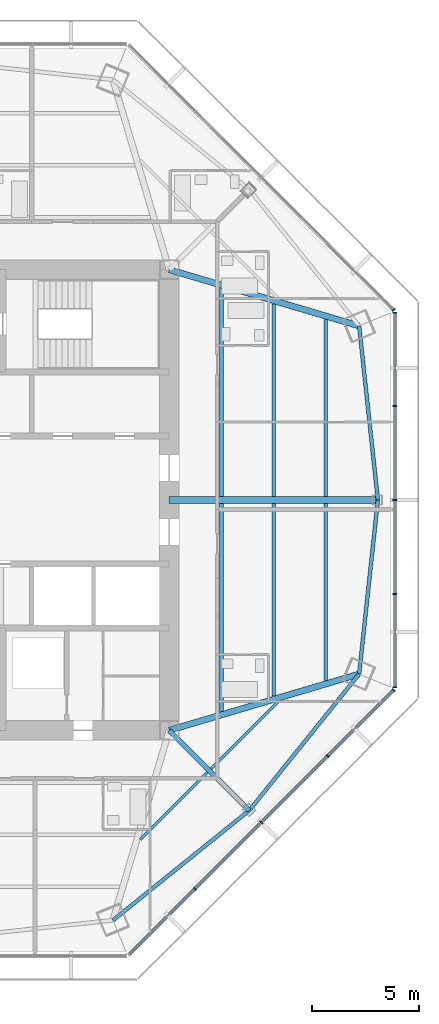
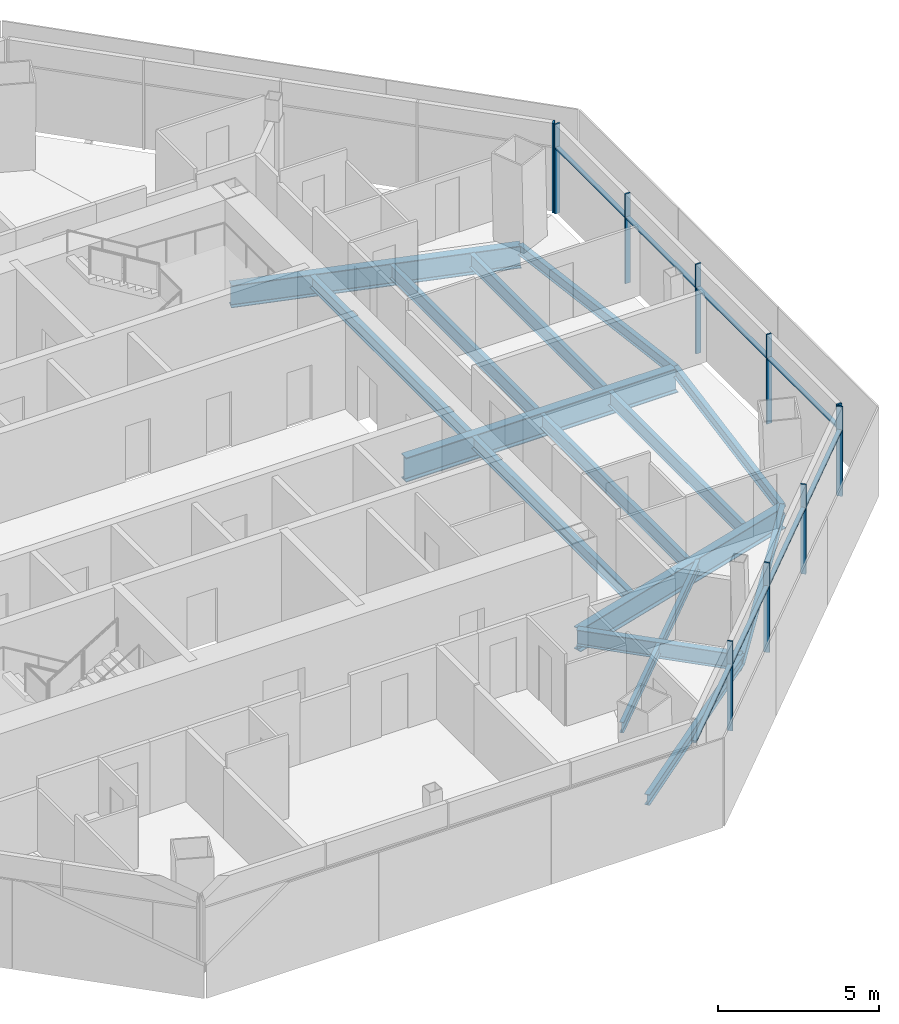
# One storey, part 5 of 15: 18 members, 16 beams, 3 elements without a shape of their own.
"""IFC4 building model written with IfcOpenShell, lengths in metres."""

from ifc_helpers import new_model, si_unit, direction, frame, origin, origin_2d, place, context, subcontext, project, spatial, rectangle, i_section, extrude, source, transform, mapped, material, material_profile, profile_set, type_object, type_shapes, element, aggregate, save


model = new_model("IFC4")

# Units and contexts
model_context = context("Model", 3, precision=1e-05, world=origin(), true_north=direction((0.0, 1.0)))
body_context = subcontext(model_context, "Body", "Model", "MODEL_VIEW")
ifc_project = project(units=[si_unit("LENGTHUNIT", "METRE"), si_unit("AREAUNIT", "SQUARE_METRE"), si_unit("VOLUMEUNIT", "CUBIC_METRE"), si_unit("PLANEANGLEUNIT", "RADIAN"), si_unit("MASSUNIT", "GRAM", prefix="KILO")], contexts=[model_context])

# Site, building, storey
site_placement = place(None, origin())
site = spatial("IfcSite", under=ifc_project, at=site_placement, CompositionType="ELEMENT")
building_placement = place(site_placement, origin())
building = spatial("IfcBuilding", under=site, at=building_placement, Name="Mashrafa Tower", CompositionType="ELEMENT")
storey_placement = place(building_placement, frame((0.0, 0.0, 234.60009765625)))
storey = spatial("IfcBuildingStorey", under=building, at=storey_placement, Name="L55", CompositionType="ELEMENT", Elevation=234.60009765625)

# Beams
ifc_material_1 = material(Name="Steel ASTM A992", Category="steel")
ifc_material_profile_1 = material_profile(ifc_material_1, i_section(OverallWidth=0.140380859375, OverallDepth=0.40380859375, WebThickness=0.007080078125, FlangeThickness=0.01123046875, FilletRadius=0.01025390625, at=origin_2d()), Name="W16X31")
ifc_profile_set_1 = profile_set([ifc_material_profile_1], Name="Steel ASTM A992")
beam_type_1 = type_object("IfcBeamType", Name="Beam W16X31", PredefinedType="BEAM", material=ifc_profile_set_1)
for number, where, z_axis, x_axis, name in (
    (1, (12.5966796875, -12.75830078125, -0.402099609375), (-0.707106781187, -0.707106781187, 0.0), (0.707106781187, -0.707106781187, 0.0), "Floor beam L55 024"),
    (2, (15.918701171875, -9.436279296875, -0.402099609375), (-0.707106781187, -0.707106781187, 0.0), (0.707106781187, -0.707106781187, 0.0), "Floor beam L55 030"),
):
    element("IfcBeam", number, at=place(storey_placement, frame(where, z_axis=z_axis, x_axis=x_axis)), inside=storey, type_object=beam_type_1, Name=name, PredefinedType="BEAM", context=body_context, shape_type="SweptSolid", body=[
        extrude(i_section(OverallWidth=0.140380859375, OverallDepth=0.40380859375, WebThickness=0.007080078125, FlangeThickness=0.01123046875, FilletRadius=0.01025390625, at=origin_2d()), origin(), (0.0, 0.0, 1.0), 4.469482421875),
    ])
ifc_material_2 = material(Name="Steel ASTM A992", Category="steel")
ifc_material_profile_2 = material_profile(ifc_material_2, i_section(OverallWidth=0.177734375, OverallDepth=0.406494140625, WebThickness=0.0078125, FlangeThickness=0.012939453125, FilletRadius=0.01025390625, at=origin_2d()), Name="W16X40")
ifc_profile_set_2 = profile_set([ifc_material_profile_2], Name="Steel ASTM A992")
beam_type_2 = type_object("IfcBeamType", Name="Beam W16X40", PredefinedType="BEAM", material=ifc_profile_set_2)
for number, where, z_axis, x_axis, name in (
    (3, (8.162353515625, -19.705810546875, -0.4033203125), (0.778676418482, 0.627425720942, 0.0), (-0.627425720942, 0.778676418482, 0.0), "Spandrel beam L55 058"),
    (4, (14.554931640625, -14.554931640625, -0.4033203125), (0.627425720942, 0.778676418482, 0.0), (-0.778676418482, 0.627425720942, 0.0), "Spandrel beam L55 060"),
    (5, (19.705810546875, -8.162353515625, -0.4033203125), (0.106970984578, 0.994262142726, 0.0), (-0.994262142726, 0.106970984578, 0.0), "Spandrel beam L55 062"),
    (6, (20.583984375, 0.0, -0.4033203125), (-0.106970984578, 0.994262142726, 0.0), (-0.994262142726, -0.106970984578, 0.0), "Spandrel beam L55 064"),
):
    element("IfcBeam", number, at=place(storey_placement, frame(where, z_axis=z_axis, x_axis=x_axis)), inside=storey, type_object=beam_type_2, Name=name, PredefinedType="BEAM", context=body_context, shape_type="SweptSolid", body=[
        extrude(i_section(OverallWidth=0.177734375, OverallDepth=0.406494140625, WebThickness=0.0078125, FlangeThickness=0.012939453125, FilletRadius=0.01025390625, at=origin_2d()), origin(), (0.0, 0.0, 1.0), 8.20947265625),
    ])
ifc_material_3 = material(Name="Steel ASTM A992", Category="steel")
ifc_material_profile_3 = material_profile(ifc_material_3, i_section(OverallWidth=0.191162109375, OverallDepth=0.459716796875, WebThickness=0.010009765625, FlangeThickness=0.01611328125, FilletRadius=0.01025390625, at=origin_2d()), Name="W18X55")
ifc_profile_set_3 = profile_set([ifc_material_profile_3], Name="Steel ASTM A992")
beam_type_3 = type_object("IfcBeamType", Name="Beam W18X55", PredefinedType="BEAM", material=ifc_profile_set_3)
for number, where, z_axis, x_axis, name in (
    (7, (13.24609375, -0.15380859375, -0.429931640625), (0.0, -1.0, 0.0), (1.0, 0.0, 0.0), "Floor beam L55 026"),
    (8, (13.24609375, 9.92333984375, -0.429931640625), (0.0, -1.0, 0.0), (1.0, 0.0, 0.0), "Floor beam L55 027"),
):
    element("IfcBeam", number, at=place(storey_placement, frame(where, z_axis=z_axis, x_axis=x_axis)), inside=storey, type_object=beam_type_3, Name=name, PredefinedType="BEAM", context=body_context, shape_type="SweptSolid", body=[
        extrude(i_section(OverallWidth=0.191162109375, OverallDepth=0.459716796875, WebThickness=0.010009765625, FlangeThickness=0.01611328125, FilletRadius=0.01025390625, at=origin_2d()), origin(), (0.0, 0.0, 1.0), 9.76953125),
    ])
ifc_material_4 = material(Name="Steel ASTM A992", Category="steel")
ifc_material_profile_4 = material_profile(ifc_material_4, i_section(OverallWidth=0.1650390625, OverallDepth=0.52587890625, WebThickness=0.0087890625, FlangeThickness=0.011474609375, FilletRadius=0.0126953125, at=origin_2d()), Name="W21X44")
ifc_profile_set_4 = profile_set([ifc_material_profile_4], Name="Steel ASTM A992")
beam_type_4 = type_object("IfcBeamType", Name="Beam W21X44", PredefinedType="BEAM", material=ifc_profile_set_4)
for number, where, z_axis, x_axis, name in (
    (9, (15.69189453125, -0.15380859375, -0.462890625), (0.0, -1.0, 0.0), (1.0, 0.0, 0.0), "Floor beam L55 028"),
    (10, (15.69189453125, 9.198974609375, -0.462890625), (0.0, -1.0, 0.0), (1.0, 0.0, 0.0), "Floor beam L55 029"),
):
    element("IfcBeam", number, at=place(storey_placement, frame(where, z_axis=z_axis, x_axis=x_axis)), inside=storey, type_object=beam_type_4, Name=name, PredefinedType="BEAM", context=body_context, shape_type="SweptSolid", body=[
        extrude(i_section(OverallWidth=0.1650390625, OverallDepth=0.52587890625, WebThickness=0.0087890625, FlangeThickness=0.011474609375, FilletRadius=0.0126953125, at=origin_2d()), origin(), (0.0, 0.0, 1.0), 9.045166015625),
    ])
ifc_material_5 = material(Name="Steel ASTM A992", Category="steel")
ifc_material_profile_5 = material_profile(ifc_material_5, i_section(OverallWidth=0.165771484375, OverallDepth=0.5283203125, WebThickness=0.009765625, FlangeThickness=0.013671875, FilletRadius=0.012939453125, at=origin_2d()), Name="W21X50")
ifc_profile_set_5 = profile_set([ifc_material_profile_5], Name="Steel ASTM A992")
beam_type_5 = type_object("IfcBeamType", Name="Beam W21X50", PredefinedType="BEAM", material=ifc_profile_set_5)
for number, where, z_axis, x_axis, name in (
    (11, (18.137939453125, -0.15380859375, -0.46435546875), (0.0, -1.0, 0.0), (1.0, 0.0, 0.0), "Floor beam L55 031"),
    (12, (18.137939453125, 8.474365234375, -0.46435546875), (0.0, -1.0, 0.0), (1.0, 0.0, 0.0), "Floor beam L55 032"),
):
    element("IfcBeam", number, at=place(storey_placement, frame(where, z_axis=z_axis, x_axis=x_axis)), inside=storey, type_object=beam_type_5, Name=name, PredefinedType="BEAM", context=body_context, shape_type="SweptSolid", body=[
        extrude(i_section(OverallWidth=0.165771484375, OverallDepth=0.5283203125, WebThickness=0.009765625, FlangeThickness=0.013671875, FilletRadius=0.012939453125, at=origin_2d()), origin(), (0.0, 0.0, 1.0), 8.320556640625),
    ])
ifc_material_6 = material(Name="Steel ASTM A992", Category="steel")
ifc_material_profile_6 = material_profile(ifc_material_6, i_section(OverallWidth=0.228271484375, OverallDepth=0.607177734375, WebThickness=0.01123046875, FlangeThickness=0.017333984375, FilletRadius=0.0126953125, at=origin_2d()), Name="W24X76")
ifc_profile_set_6 = profile_set([ifc_material_profile_6], Name="Steel ASTM A992")
beam_type_6 = type_object("IfcBeamType", Name="Beam W24X76", PredefinedType="BEAM", material=ifc_profile_set_6)
beam_1_placement = place(storey_placement, frame((10.800048828125, -10.800048828125, -0.503662109375), z_axis=(0.707106781187, -0.707106781187, 0.0), x_axis=(0.707106781187, 0.707106781187, 0.0)))
element("IfcBeam", 13, at=beam_1_placement, inside=storey, type_object=beam_type_6, Name="Radial girder L55 043", PredefinedType="BEAM", context=body_context, shape_type="SweptSolid", body=[
    extrude(i_section(OverallWidth=0.228271484375, OverallDepth=0.607177734375, WebThickness=0.01123046875, FlangeThickness=0.017333984375, FilletRadius=0.0126953125, at=origin_2d()), origin(), (0.0, 0.0, 1.0), 5.310302734375),
])
ifc_material_7 = material(Name="Steel ASTM A992", Category="steel")
ifc_material_profile_7 = material_profile(ifc_material_7, i_section(OverallWidth=0.2919921875, OverallDepth=0.845703125, WebThickness=0.015380859375, FlangeThickness=0.0244140625, FilletRadius=0.017333984375, at=origin_2d()), Name="W33X141")
ifc_profile_set_7 = profile_set([ifc_material_profile_7], Name="Steel ASTM A992")
beam_type_7 = type_object("IfcBeamType", Name="Beam W33X141", PredefinedType="BEAM", material=ifc_profile_set_7)
for number, where, z_axis, x_axis, name in (
    (14, (10.800048828125, -10.800048828125, -0.623046875), (0.958828866985, 0.283984513375, 0.0), (-0.283984513375, 0.958828866985, 0.0), "Radial girder L55 044"),
    (15, (10.800048828125, 10.800048828125, -0.623046875), (0.958828866985, -0.283984513375, 0.0), (0.283984513375, 0.958828866985, 0.0), "Radial girder L55 048"),
):
    element("IfcBeam", number, at=place(storey_placement, frame(where, z_axis=z_axis, x_axis=x_axis)), inside=storey, type_object=beam_type_7, Name=name, PredefinedType="BEAM", context=body_context, shape_type="SweptSolid", body=[
        extrude(i_section(OverallWidth=0.2919921875, OverallDepth=0.845703125, WebThickness=0.015380859375, FlangeThickness=0.0244140625, FilletRadius=0.017333984375, at=origin_2d()), origin(), (0.0, 0.0, 1.0), 9.2880859375),
    ])
ifc_material_8 = material(Name="Steel ASTM A992", Category="steel")
ifc_material_profile_8 = material_profile(ifc_material_8, i_section(OverallWidth=0.307373046875, OverallDepth=0.927001953125, WebThickness=0.01953125, FlangeThickness=0.031982421875, FilletRadius=0.01904296875, at=origin_2d()), Name="W36X194")
ifc_profile_set_8 = profile_set([ifc_material_profile_8], Name="Steel ASTM A992")
beam_type_8 = type_object("IfcBeamType", Name="Beam W36X194", PredefinedType="BEAM", material=ifc_profile_set_8)
beam_2_placement = place(storey_placement, frame((10.800048828125, 0.0, -0.66357421875), z_axis=(1.0, 0.0, 0.0), x_axis=(0.0, 1.0, 0.0)))
element("IfcBeam", 16, at=beam_2_placement, inside=storey, type_object=beam_type_8, Name="Radial girder L55 045", PredefinedType="BEAM", context=body_context, shape_type="SweptSolid", body=[
    extrude(i_section(OverallWidth=0.307373046875, OverallDepth=0.927001953125, WebThickness=0.01953125, FlangeThickness=0.031982421875, FilletRadius=0.01904296875, at=origin_2d()), origin(), (0.0, 0.0, 1.0), 9.783935546875),
])

# Curtain wall, members
ifc_material_9 = material(Name="Unitised aluminium curtain wall", Category="aluminium")
curtain_wall_type = type_object("IfcCurtainWallType", Name="Apartment curtain wall, zone 3 CW-C 180 deep", PredefinedType="NOTDEFINED", material=ifc_material_9)
curtain_wall_1_placement = place(storey_placement, origin())
curtain_wall_1 = element("IfcCurtainWall", 17, at=curtain_wall_1_placement, inside=storey, type_object=curtain_wall_type, Name="Apartment curtain wall, zone 3 L55 east", PredefinedType="NOTDEFINED")
ifc_material_10 = material(Name="Extruded aluminium mullion", Category="aluminium")
ifc_material_profile_9 = material_profile(ifc_material_10, rectangle(XDim=0.179931640625, YDim=0.06005859375, at=origin_2d()), Name="Mullion 60x180")
ifc_profile_set_9 = profile_set([ifc_material_profile_9], Name="Extruded aluminium mullion")
member_type_1 = type_object("IfcMemberType", Name="Mullion CW-C 60 x 180", PredefinedType="MULLION", material=ifc_profile_set_9)
shared_shape_1 = source(origin(), body_context, "Body", "SweptSolid", [
    extrude(rectangle(XDim=0.179931640625, YDim=0.06005859375, at=origin_2d()), origin(), (0.0, 0.0, 1.0), 3.39990234375),
])
type_shapes(member_type_1, [shared_shape_1])
member_1_placement = place(storey_placement, frame((21.378173828125, -8.77783203125, 0.0), z_axis=(0.0, 0.0, 1.0), x_axis=(-1.0, 0.0, 0.0)))
member_1 = element("IfcMember", 18, at=member_1_placement, type_object=member_type_1, Name="CW-C mullion 1", PredefinedType="MULLION", context=body_context, shape_type="MappedRepresentation", body=[
    mapped(shared_shape_1, transform((0.0, 0.0, 0.0))),
])
member_2_placement = place(storey_placement, frame((21.378173828125, -4.404052734375, 0.0), z_axis=(0.0, 0.0, 1.0), x_axis=(-1.0, 0.0, 0.0)))
member_2 = element("IfcMember", 19, at=member_2_placement, type_object=member_type_1, Name="CW-C mullion 2", PredefinedType="MULLION", context=body_context, shape_type="MappedRepresentation", body=[
    mapped(shared_shape_1, transform((0.0, 0.0, 0.0))),
])
member_3_placement = place(storey_placement, frame((21.378173828125, 0.0, 0.0), z_axis=(0.0, 0.0, 1.0), x_axis=(-1.0, 0.0, 0.0)))
member_3 = element("IfcMember", 20, at=member_3_placement, type_object=member_type_1, Name="CW-C mullion 3", PredefinedType="MULLION", context=body_context, shape_type="MappedRepresentation", body=[
    mapped(shared_shape_1, transform((0.0, 0.0, 0.0))),
])
member_4_placement = place(storey_placement, frame((21.378173828125, 4.404052734375, 0.0), z_axis=(0.0, 0.0, 1.0), x_axis=(-1.0, 0.0, 0.0)))
member_4 = element("IfcMember", 21, at=member_4_placement, type_object=member_type_1, Name="CW-C mullion 4", PredefinedType="MULLION", context=body_context, shape_type="MappedRepresentation", body=[
    mapped(shared_shape_1, transform((0.0, 0.0, 0.0))),
])
member_5_placement = place(storey_placement, frame((21.378173828125, 8.77783203125, 0.0), z_axis=(0.0, 0.0, 1.0), x_axis=(-1.0, 0.0, 0.0)))
member_5 = element("IfcMember", 22, at=member_5_placement, type_object=member_type_1, Name="CW-C mullion 5", PredefinedType="MULLION", context=body_context, shape_type="MappedRepresentation", body=[
    mapped(shared_shape_1, transform((0.0, 0.0, 0.0))),
])

# Curtain wall, member
curtain_wall_2_placement = place(storey_placement, origin())
curtain_wall_2 = element("IfcCurtainWall", 23, at=curtain_wall_2_placement, inside=storey, type_object=curtain_wall_type, Name="Apartment curtain wall, zone 3 L55 north-east", PredefinedType="NOTDEFINED")
member_6_placement = place(storey_placement, frame((21.323486328125, 8.909912109375, 0.0), z_axis=(0.0, 0.0, 1.0), x_axis=(-0.707106781187, -0.707106781187, 0.0)))
member_6 = element("IfcMember", 24, at=member_6_placement, type_object=member_type_1, Name="CW-C mullion 1", PredefinedType="MULLION", context=body_context, shape_type="MappedRepresentation", body=[
    mapped(shared_shape_1, transform((0.0, 0.0, 0.0))),
])
aggregate(curtain_wall_2, [member_6])

# Curtain wall, members
curtain_wall_3_placement = place(storey_placement, origin())
curtain_wall_3 = element("IfcCurtainWall", 25, at=curtain_wall_3_placement, inside=storey, type_object=curtain_wall_type, Name="Apartment curtain wall, zone 3 L55 south-east", PredefinedType="NOTDEFINED")
member_7_placement = place(storey_placement, frame((12.002685546875, -18.230712890625, 0.0), z_axis=(0.0, 0.0, 1.0), x_axis=(-0.707106781187, 0.707106781187, 0.0)))
member_7 = element("IfcMember", 26, at=member_7_placement, type_object=member_type_1, Name="CW-C mullion 2", PredefinedType="MULLION", context=body_context, shape_type="MappedRepresentation", body=[
    mapped(shared_shape_1, transform((0.0, 0.0, 0.0))),
])
member_8_placement = place(storey_placement, frame((15.11669921875, -15.11669921875, 0.0), z_axis=(0.0, 0.0, 1.0), x_axis=(-0.707106781187, 0.707106781187, 0.0)))
member_8 = element("IfcMember", 27, at=member_8_placement, type_object=member_type_1, Name="CW-C mullion 3", PredefinedType="MULLION", context=body_context, shape_type="MappedRepresentation", body=[
    mapped(shared_shape_1, transform((0.0, 0.0, 0.0))),
])
member_9_placement = place(storey_placement, frame((18.230712890625, -12.002685546875, 0.0), z_axis=(0.0, 0.0, 1.0), x_axis=(-0.707106781187, 0.707106781187, 0.0)))
member_9 = element("IfcMember", 28, at=member_9_placement, type_object=member_type_1, Name="CW-C mullion 4", PredefinedType="MULLION", context=body_context, shape_type="MappedRepresentation", body=[
    mapped(shared_shape_1, transform((0.0, 0.0, 0.0))),
])
member_10_placement = place(storey_placement, frame((21.323486328125, -8.909912109375, 0.0), z_axis=(0.0, 0.0, 1.0), x_axis=(-0.707106781187, 0.707106781187, 0.0)))
member_10 = element("IfcMember", 29, at=member_10_placement, type_object=member_type_1, Name="CW-C mullion 5", PredefinedType="MULLION", context=body_context, shape_type="MappedRepresentation", body=[
    mapped(shared_shape_1, transform((0.0, 0.0, 0.0))),
])

# Member
ifc_material_11 = material(Name="Extruded aluminium transom", Category="aluminium")
ifc_material_profile_10 = material_profile(ifc_material_11, rectangle(XDim=0.14404296875, YDim=0.074951171875, at=origin_2d()), Name="Transom 75x144")
ifc_profile_set_10 = profile_set([ifc_material_profile_10], Name="Extruded aluminium transom")
member_type_2 = type_object("IfcMemberType", Name="Transom CW-C 75 x 144", PredefinedType="MULLION", material=ifc_profile_set_10)
shared_shape_2 = source(origin(), body_context, "Body", "SweptSolid", [
    extrude(rectangle(XDim=0.14404296875, YDim=0.074951171875, at=origin_2d()), origin(), (0.0, 0.0, 1.0), 4.31396484375),
])
member_11_placement = place(storey_placement, frame((21.378173828125, -8.747802734375, 2.5), z_axis=(0.0, 1.0, 0.0), x_axis=(-1.0, 0.0, 0.0)))
member_11 = element("IfcMember", 30, at=member_11_placement, type_object=member_type_2, Name="CW-C transom 1", PredefinedType="MULLION", context=body_context, shape_type="MappedRepresentation", body=[
    mapped(shared_shape_2, transform((0.0, 0.0, 0.0))),
])

member_12_placement = place(storey_placement, frame((21.378173828125, 4.433837890625, 2.5), z_axis=(0.0, 1.0, 0.0), x_axis=(-1.0, 0.0, 0.0)))
member_12 = element("IfcMember", 31, at=member_12_placement, type_object=member_type_2, Name="CW-C transom 4", PredefinedType="MULLION", context=body_context, shape_type="MappedRepresentation", body=[
    mapped(shared_shape_2, transform((0.0, 0.0, 0.0))),
])

member_13_placement = place(storey_placement, frame((8.930908203125, -21.30224609375, 2.5), z_axis=(0.707135077342, 0.707078483899, 0.0), x_axis=(-0.707078483899, 0.707135077342, 0.0)))
member_13 = element("IfcMember", 32, at=member_13_placement, type_object=member_type_2, Name="CW-C transom 1", PredefinedType="MULLION", context=body_context, shape_type="MappedRepresentation", body=[
    mapped(shared_shape_2, transform((0.0, 0.0, 0.0))),
])

member_14_placement = place(storey_placement, frame((18.251953125, -11.9814453125, 2.5), z_axis=(0.707078483899, 0.707135077342, 0.0), x_axis=(-0.707135077342, 0.707078483899, 0.0)))
member_14 = element("IfcMember", 33, at=member_14_placement, type_object=member_type_2, Name="CW-C transom 4", PredefinedType="MULLION", context=body_context, shape_type="MappedRepresentation", body=[
    mapped(shared_shape_2, transform((0.0, 0.0, 0.0))),
])

shared_shape_3 = source(origin(), body_context, "Body", "SweptSolid", [
    extrude(rectangle(XDim=0.14404296875, YDim=0.074951171875, at=origin_2d()), origin(), (0.0, 0.0, 1.0), 4.343994140625),
])
member_15_placement = place(storey_placement, frame((21.378173828125, -4.3740234375, 2.5), z_axis=(0.0, 1.0, 0.0), x_axis=(-1.0, 0.0, 0.0)))
member_15 = element("IfcMember", 34, at=member_15_placement, type_object=member_type_2, Name="CW-C transom 2", PredefinedType="MULLION", context=body_context, shape_type="MappedRepresentation", body=[
    mapped(shared_shape_3, transform((0.0, 0.0, 0.0))),
])

member_16_placement = place(storey_placement, frame((21.378173828125, 0.030029296875, 2.5), z_axis=(0.0, 1.0, 0.0), x_axis=(-1.0, 0.0, 0.0)))
member_16 = element("IfcMember", 35, at=member_16_placement, type_object=member_type_2, Name="CW-C transom 3", PredefinedType="MULLION", context=body_context, shape_type="MappedRepresentation", body=[
    mapped(shared_shape_3, transform((0.0, 0.0, 0.0))),
])

aggregate(curtain_wall_1, [member_1, member_2, member_3, member_4, member_5, member_11, member_15, member_16, member_12])

shared_shape_4 = source(origin(), body_context, "Body", "SweptSolid", [
    extrude(rectangle(XDim=0.14404296875, YDim=0.074951171875, at=origin_2d()), origin(), (0.0, 0.0, 1.0), 4.34375),
])
type_shapes(member_type_2, [shared_shape_2, shared_shape_3, shared_shape_4])
member_17_placement = place(storey_placement, frame((12.02392578125, -18.20947265625, 2.5), z_axis=(0.707106781187, 0.707106781187, 0.0), x_axis=(-0.707106781187, 0.707106781187, 0.0)))
member_17 = element("IfcMember", 36, at=member_17_placement, type_object=member_type_2, Name="CW-C transom 2", PredefinedType="MULLION", context=body_context, shape_type="MappedRepresentation", body=[
    mapped(shared_shape_4, transform((0.0, 0.0, 0.0))),
])

member_18_placement = place(storey_placement, frame((15.137939453125, -15.095458984375, 2.5), z_axis=(0.707106781187, 0.707106781187, 0.0), x_axis=(-0.707106781187, 0.707106781187, 0.0)))
member_18 = element("IfcMember", 37, at=member_18_placement, type_object=member_type_2, Name="CW-C transom 3", PredefinedType="MULLION", context=body_context, shape_type="MappedRepresentation", body=[
    mapped(shared_shape_4, transform((0.0, 0.0, 0.0))),
])

aggregate(curtain_wall_3, [member_7, member_8, member_9, member_10, member_13, member_17, member_18, member_14])

save(model, "model.ifc")
